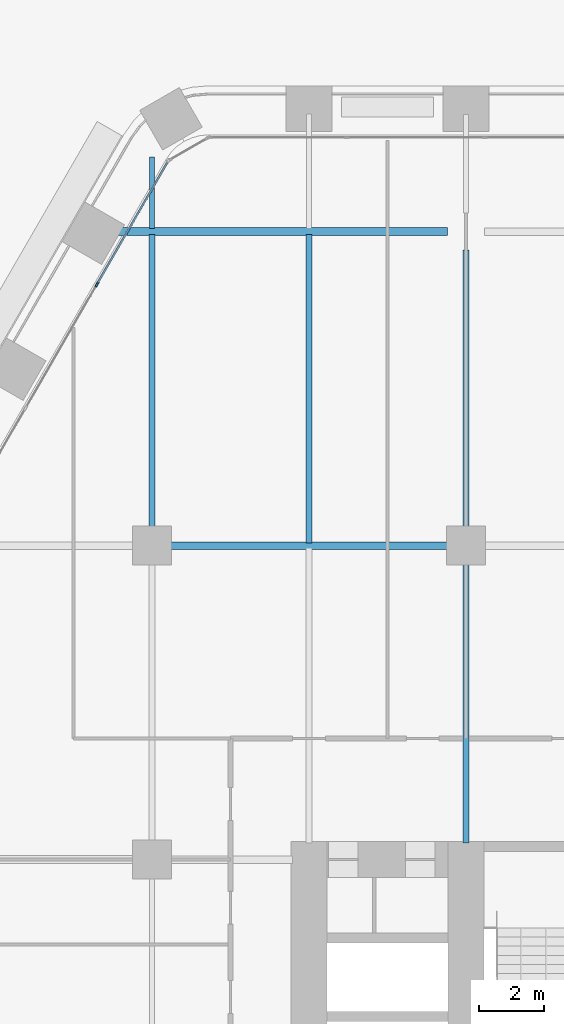
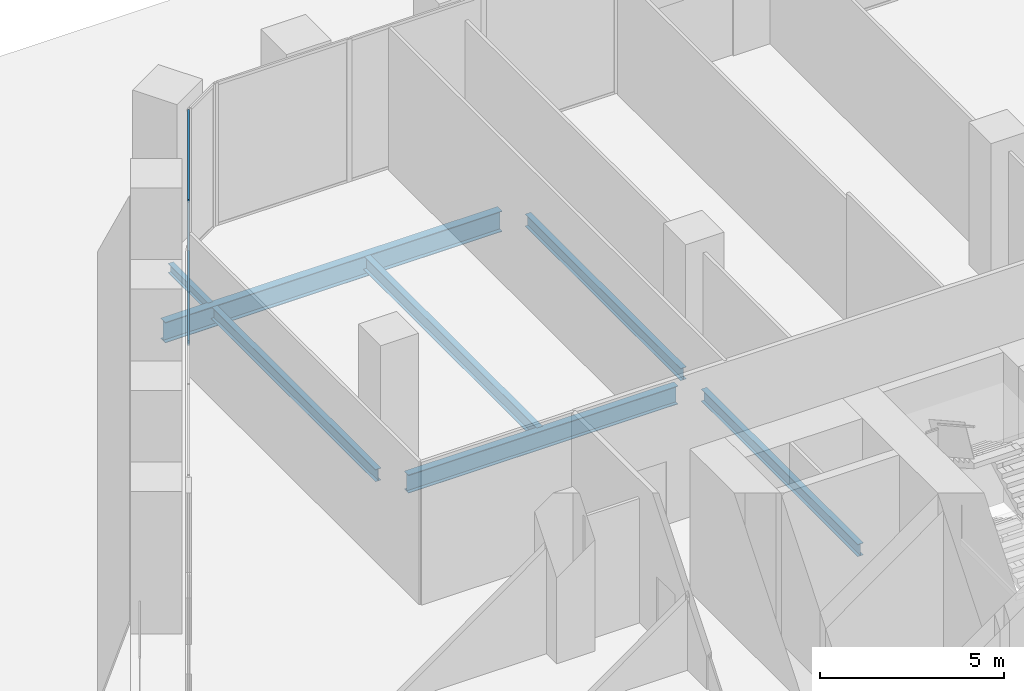
# One storey, part 8 of 29: 7 beams, 3 members, 1 element without a shape of its own.
"""IFC4 building model written with IfcOpenShell, lengths in metres."""

import ifcopenshell
import ifcopenshell.guid

model = None  # the IFC model being written
_history = None  # IfcOwnerHistory: only IFC2X3 demands one
_inside = {}  # id of a spatial element -> (the spatial element, [elements in it])
_under = {}  # id of a project, library or spatial element -> (it, [spatial elements below it])
_declared = {}  # id of a project -> (the project, [libraries it declares])
_typed = {}  # id of a type object -> (the type object, [elements of that type])
_made_of = {}  # id of a material, layer set ... -> (it, [elements and type objects made of it])


def new_model(schema):
    """Start an empty IFC model of exactly this schema.

    Asked for "IFC4X3", IfcOpenShell would pick the latest addendum, in which some entities
    have other attributes; the version numbers below select the first issue.
    IFC2X3 requires an IfcOwnerHistory on every rooted entity: one is made here for all.
    """
    global model, _history
    if schema == "IFC4X3":
        model = ifcopenshell.file(schema_version=(4, 3, 0, 0))
    else:
        model = ifcopenshell.file(schema=schema)
    _inside.clear()
    _under.clear()
    _declared.clear()
    _typed.clear()
    _made_of.clear()
    _history = None
    if model.schema == "IFC2X3":
        org = make("IfcOrganization", Name="unknown")
        user = make(
            "IfcPersonAndOrganization",
            ThePerson=make("IfcPerson", FamilyName="unknown"),
            TheOrganization=org,
        )
        app = make(
            "IfcApplication",
            ApplicationDeveloper=org,
            Version="unknown",
            ApplicationFullName="unknown",
            ApplicationIdentifier="unknown",
        )
        _history = make(
            "IfcOwnerHistory",
            OwningUser=user,
            OwningApplication=app,
            ChangeAction="ADDED",
            CreationDate=0,
        )
    return model


def make(cls, **values):
    """One entity of the class cls with the attributes given. An attribute that is None is left unset."""
    return model.create_entity(
        cls, **{name: value for name, value in values.items() if value is not None}
    )


def rooted(cls, **values):
    """An entity with a GlobalId (a new one), such as an element, a storey or a relation."""
    return make(cls, GlobalId=ifcopenshell.guid.new(), OwnerHistory=_history, **values)


def si_unit(unit_type, name, prefix=None):
    """IfcSIUnit, for example si_unit("LENGTHUNIT", "METRE", prefix="MILLI")."""
    return make("IfcSIUnit", UnitType=unit_type, Prefix=prefix, Name=name)


def assignment(units):
    """IfcUnitAssignment: the units of a project."""
    return None if units is None else make("IfcUnitAssignment", Units=units)


def point(xyz):
    """IfcCartesianPoint."""
    return None if xyz is None else make("IfcCartesianPoint", Coordinates=xyz)


def direction(xyz):
    """IfcDirection."""
    return None if xyz is None else make("IfcDirection", DirectionRatios=xyz)


def frame(location, z_axis=None, x_axis=None):
    """IfcAxis2Placement3D, a coordinate frame: its origin and axes. An axis left out is left unset."""
    return make(
        "IfcAxis2Placement3D",
        Location=point(location),
        Axis=direction(z_axis),
        RefDirection=direction(x_axis),
    )


def frame_2d(location, x_axis=None):
    """IfcAxis2Placement2D, a coordinate frame in the plane: its origin and x axis."""
    return make(
        "IfcAxis2Placement2D", Location=point(location), RefDirection=direction(x_axis)
    )


def origin():
    """The frame at (0, 0, 0) with its axes left unset."""
    return frame((0.0, 0.0, 0.0))


def origin_2d():
    """The frame at (0, 0) in the plane with its x axis left unset."""
    return frame_2d((0.0, 0.0))


def place(relative_to, where):
    """IfcLocalPlacement: puts the frame where relative to a parent placement (None: the world)."""
    return make(
        "IfcLocalPlacement", PlacementRelTo=relative_to, RelativePlacement=where
    )


def context(
    kind, dimensions, precision=None, world=None, true_north=None, identifier=None
):
    """IfcGeometricRepresentationContext, for example the 3D "Model" context."""
    return make(
        "IfcGeometricRepresentationContext",
        ContextIdentifier=identifier,
        ContextType=kind,
        CoordinateSpaceDimension=dimensions,
        Precision=precision,
        WorldCoordinateSystem=world,
        TrueNorth=true_north,
    )


def subcontext(parent, identifier, kind, view, scale=None):
    """IfcGeometricRepresentationSubContext, for example "Body" below "Model"."""
    return make(
        "IfcGeometricRepresentationSubContext",
        ContextIdentifier=identifier,
        ContextType=kind,
        ParentContext=parent,
        TargetScale=scale,
        TargetView=view,
    )


def project(units=None, contexts=None):
    """IfcProject with its units and contexts."""
    return rooted(
        "IfcProject",
        Name="project",
        RepresentationContexts=contexts,
        UnitsInContext=assignment(units),
    )


def spatial(cls, under=None, at=None, **own):
    """A site, building, storey or space (cls), placed at a placement, below another one or the project."""
    s = rooted(cls, ObjectPlacement=at, **own)
    if under is not None:
        _under.setdefault(under.id(), (under, []))[1].append(s)
    return s


def profile(cls, at=None, kind="AREA", **sizes):
    """A parametric profile (cls). Its sizes go by their IFC names, for example OverallWidth=200.0."""
    return make(cls, ProfileType=kind, Position=at, **sizes)


def rectangle(**sizes):
    """IfcRectangleProfileDef."""
    return profile("IfcRectangleProfileDef", **sizes)


def i_section(**sizes):
    """IfcIShapeProfileDef."""
    return profile("IfcIShapeProfileDef", **sizes)


def extrude(swept, where, along, depth):
    """IfcExtrudedAreaSolid: the profile swept, set in the frame where, extruded along a direction by depth."""
    return make(
        "IfcExtrudedAreaSolid",
        SweptArea=swept,
        Position=where,
        ExtrudedDirection=direction(along),
        Depth=depth,
    )


def shape(context_of_items, identifier, shape_type, items):
    """IfcShapeRepresentation: the items that make up one representation, for example the "Body"."""
    return make(
        "IfcShapeRepresentation",
        ContextOfItems=context_of_items,
        RepresentationIdentifier=identifier,
        RepresentationType=shape_type,
        Items=items,
    )


def material(Name=None, Category=None):
    """IfcMaterial."""
    return make("IfcMaterial", Name=Name, Category=Category)


def material_profile(
    of_material, cross_section, Name=None, Category=None, Priority=None
):
    """IfcMaterialProfile: a cross section and its material."""
    return make(
        "IfcMaterialProfile",
        Name=Name,
        Material=of_material,
        Profile=cross_section,
        Priority=Priority,
        Category=Category,
    )


def profile_set(profiles, Name=None, composite=None):
    """IfcMaterialProfileSet."""
    return make(
        "IfcMaterialProfileSet",
        Name=Name,
        MaterialProfiles=profiles,
        CompositeProfile=composite,
    )


def made_of(thing, what):
    """Note that an element or type object is made of a material, layer set ...; save() writes the relation."""
    if what is not None:
        _made_of.setdefault(what.id(), (what, []))[1].append(thing)
    return thing


def type_object(cls, material=None, **own):
    """A type object (cls), such as IfcWallType, which elements share."""
    return made_of(rooted(cls, **own), material)


def element(
    cls,
    number,
    at=None,
    inside=None,
    cuts=None,
    type_object=None,
    material=None,
    context=None,
    identifier="Body",
    shape_type=None,
    held_by="IfcProductDefinitionShape",
    body=None,
    shapes=None,
    **own,
):
    """One element of the class cls, such as IfcWall. Its Tag is "e" and its number.

    at: its placement. inside: the storey or other place that contains it. cuts: it is an
    opening in that element (IfcRelVoidsElement). A single representation is given by context,
    identifier, shape_type and body (its items); several are given by shapes. held_by: the class
    of the entity that holds the representations. save() writes the other relations.
    """
    e = rooted(cls, Tag="e%d" % number, ObjectPlacement=at, **own)
    if body is not None:
        shapes = [shape(context, identifier, shape_type, body)]
    if shapes is not None:
        e.Representation = make(held_by, Representations=shapes)
    if inside is not None:
        _inside.setdefault(inside.id(), (inside, []))[1].append(e)
    if cuts is not None:
        rooted(
            "IfcRelVoidsElement", RelatingBuildingElement=cuts, RelatedOpeningElement=e
        )
    if type_object is not None:
        _typed.setdefault(type_object.id(), (type_object, []))[1].append(e)
    return made_of(e, material)


def aggregate(whole, parts):
    """IfcRelAggregates: a whole, such as a stair, and the parts it consists of."""
    return rooted("IfcRelAggregates", RelatingObject=whole, RelatedObjects=parts)


def save(model, path):
    """Write the relations noted so far, then the file.

    IfcRelAggregates (storeys below a building ...), IfcRelContainedInSpatialStructure (elements
    in a storey), IfcRelDefinesByType, IfcRelAssociatesMaterial and IfcRelDeclares: one each for
    every whole, place, type object, material and project.
    """
    for whole, parts in _under.values():
        aggregate(whole, parts)
    for where, things in _inside.values():
        rooted(
            "IfcRelContainedInSpatialStructure",
            RelatedElements=things,
            RelatingStructure=where,
        )
    for kind, things in _typed.values():
        rooted("IfcRelDefinesByType", RelatedObjects=things, RelatingType=kind)
    for what, things in _made_of.values():
        rooted("IfcRelAssociatesMaterial", RelatedObjects=things, RelatingMaterial=what)
    for by, libraries in _declared.values():
        rooted("IfcRelDeclares", RelatingContext=by, RelatedDefinitions=libraries)
    model.write(path)


model = new_model("IFC4")

# Units and contexts
model_context = context("Model", 3, precision=1e-05, world=origin(), true_north=direction((0.0, 1.0)))
body_context = subcontext(model_context, "Body", "Model", "MODEL_VIEW")
ifc_project = project(units=[si_unit("LENGTHUNIT", "METRE"), si_unit("AREAUNIT", "SQUARE_METRE"), si_unit("VOLUMEUNIT", "CUBIC_METRE"), si_unit("PLANEANGLEUNIT", "RADIAN"), si_unit("MASSUNIT", "GRAM", prefix="KILO")], contexts=[model_context])

# Site, building, storey
site_placement = place(None, origin())
site = spatial("IfcSite", under=ifc_project, at=site_placement, CompositionType="ELEMENT")
building_placement = place(site_placement, origin())
building = spatial("IfcBuilding", under=site, at=building_placement, Name="Kolab Exchange Tower", CompositionType="ELEMENT")
storey_placement = place(building_placement, frame((0.0, 0.0, 17.39990234375)))
storey = spatial("IfcBuildingStorey", under=building, at=storey_placement, Name="L03", CompositionType="ELEMENT", Elevation=17.39990234375)

# Beams
ifc_material_1 = material(Name="Steel S355", Category="steel")
ifc_material_profile_1 = material_profile(ifc_material_1, i_section(OverallWidth=0.1650390625, OverallDepth=0.31005859375, WebThickness=0.005859375, FlangeThickness=0.009765625, at=origin_2d()), Name="W310X39")
ifc_profile_set_1 = profile_set([ifc_material_profile_1], Name="Steel S355")
beam_type_1 = type_object("IfcBeamType", Name="FLOOR BEAM W310X39", PredefinedType="BEAM", material=ifc_profile_set_1)
beam_1_placement = place(storey_placement, frame((-19.199951171875, 28.886962890625, -0.40478515625), z_axis=(0.0, 1.0, 0.0), x_axis=(-1.0, 0.0, 0.0)))
element("IfcBeam", 1, at=beam_1_placement, inside=storey, type_object=beam_type_1, Name="beam/L03/fr/018", PredefinedType="BEAM", context=body_context, shape_type="SweptSolid", body=[
    extrude(i_section(OverallWidth=0.1650390625, OverallDepth=0.31005859375, WebThickness=0.005859375, FlangeThickness=0.009765625, at=origin_2d()), origin(), (0.0, 0.0, 1.0), 2.187255859375),
])
ifc_material_profile_2 = material_profile(ifc_material_1, i_section(OverallWidth=0.177978515625, OverallDepth=0.406982421875, WebThickness=0.0078125, FlangeThickness=0.0126953125, at=origin_2d()), Name="W410X60")
ifc_profile_set_2 = profile_set([ifc_material_profile_2], Name="Steel S355")
beam_type_2 = type_object("IfcBeamType", Name="FLOOR BEAM W410X60", PredefinedType="BEAM", material=ifc_profile_set_2)
beam_2_placement = place(storey_placement, frame((-19.199951171875, 19.760009765625, -0.453369140625), z_axis=(0.0, 1.0, 0.0), x_axis=(-1.0, 0.0, 0.0)))
element("IfcBeam", 2, at=beam_2_placement, inside=storey, type_object=beam_type_2, Name="beam/L03/fr/017", PredefinedType="BEAM", context=body_context, shape_type="SweptSolid", body=[
    extrude(i_section(OverallWidth=0.177978515625, OverallDepth=0.406982421875, WebThickness=0.0078125, FlangeThickness=0.0126953125, at=origin_2d()), origin(), (0.0, 0.0, 1.0), 8.952880859375),
])
beam_3_placement = place(storey_placement, frame((-9.60009765625, 10.110107421875, -0.453369140625), z_axis=(0.0, 1.0, 0.0), x_axis=(-1.0, 0.0, 0.0)))
element("IfcBeam", 3, at=beam_3_placement, inside=storey, type_object=beam_type_2, Name="beam/L03/fr/028", PredefinedType="BEAM", context=body_context, shape_type="SweptSolid", body=[
    extrude(i_section(OverallWidth=0.177978515625, OverallDepth=0.406982421875, WebThickness=0.0078125, FlangeThickness=0.0126953125, at=origin_2d()), origin(), (0.0, 0.0, 1.0), 8.52978515625),
])
beam_4_placement = place(storey_placement, frame((-9.60009765625, 19.760009765625, -0.453369140625), z_axis=(0.0, 1.0, 0.0), x_axis=(-1.0, 0.0, 0.0)))
element("IfcBeam", 4, at=beam_4_placement, inside=storey, type_object=beam_type_2, Name="beam/L03/fr/029", PredefinedType="BEAM", context=body_context, shape_type="SweptSolid", body=[
    extrude(i_section(OverallWidth=0.177978515625, OverallDepth=0.406982421875, WebThickness=0.0078125, FlangeThickness=0.0126953125, at=origin_2d()), origin(), (0.0, 0.0, 1.0), 8.47998046875),
])
ifc_material_profile_3 = material_profile(ifc_material_1, i_section(OverallWidth=0.18994140625, OverallDepth=0.45703125, WebThickness=0.009033203125, FlangeThickness=0.014404296875, at=origin_2d()), Name="W460X74")
ifc_profile_set_3 = profile_set([ifc_material_profile_3], Name="Steel S355")
beam_type_3 = type_object("IfcBeamType", Name="FLOOR BEAM W460X74", PredefinedType="BEAM", material=ifc_profile_set_3)
beam_5_placement = place(storey_placement, frame((-14.39990234375, 19.27392578125, -0.478515625), z_axis=(0.0, 1.0, 0.0), x_axis=(-1.0, 0.0, 0.0)))
element("IfcBeam", 5, at=beam_5_placement, inside=storey, type_object=beam_type_3, Name="beam/L03/fr/023", PredefinedType="BEAM", context=body_context, shape_type="SweptSolid", body=[
    extrude(i_section(OverallWidth=0.18994140625, OverallDepth=0.45703125, WebThickness=0.009033203125, FlangeThickness=0.014404296875, at=origin_2d()), origin(), (0.0, 0.0, 1.0), 9.43896484375),
])
ifc_material_profile_4 = material_profile(ifc_material_1, i_section(OverallWidth=0.22802734375, OverallDepth=0.60791015625, WebThickness=0.01123046875, FlangeThickness=0.017333984375, at=origin_2d()), Name="W610X113")
ifc_profile_set_4 = profile_set([ifc_material_profile_4], Name="Steel S355")
beam_type_4 = type_object("IfcBeamType", Name="FLOOR GIRDER W610X113", PredefinedType="BEAM", material=ifc_profile_set_4)
beam_6_placement = place(storey_placement, frame((-18.639892578125, 19.199951171875, -0.553955078125), z_axis=(1.0, 0.0, 0.0), x_axis=(0.0, 1.0, 0.0)))
element("IfcBeam", 6, at=beam_6_placement, inside=storey, type_object=beam_type_4, Name="beam/L03/gd/012", PredefinedType="BEAM", context=body_context, shape_type="SweptSolid", body=[
    extrude(i_section(OverallWidth=0.22802734375, OverallDepth=0.60791015625, WebThickness=0.01123046875, FlangeThickness=0.017333984375, at=origin_2d()), origin(), (0.0, 0.0, 1.0), 8.47998046875),
])
ifc_material_profile_5 = material_profile(ifc_material_1, i_section(OverallWidth=0.25390625, OverallDepth=0.68408203125, WebThickness=0.012451171875, FlangeThickness=0.018798828125, at=origin_2d()), Name="W690X140")
ifc_profile_set_5 = profile_set([ifc_material_profile_5], Name="Steel S355")
beam_type_5 = type_object("IfcBeamType", Name="FLOOR GIRDER W690X140", PredefinedType="BEAM", material=ifc_profile_set_5)
beam_7_placement = place(storey_placement, frame((-20.757080078125, 28.800048828125, -0.591796875), z_axis=(1.0, 0.0, 0.0), x_axis=(0.0, 1.0, 0.0)))
element("IfcBeam", 7, at=beam_7_placement, inside=storey, type_object=beam_type_5, Name="beam/L03/gd/008", PredefinedType="BEAM", context=body_context, shape_type="SweptSolid", body=[
    extrude(i_section(OverallWidth=0.25390625, OverallDepth=0.68408203125, WebThickness=0.012451171875, FlangeThickness=0.018798828125, at=origin_2d()), origin(), (0.0, 0.0, 1.0), 10.59716796875),
])

# Curtain wall, members
ifc_material_2 = material(Name="Aluminium EN AW-6063 T6", Category="aluminium")
curtain_wall_type = type_object("IfcCurtainWallType", Name="UNITISED LOW ZONE CURTAIN WALL", PredefinedType="NOTDEFINED", material=ifc_material_2)
curtain_wall_placement = place(storey_placement, origin())
curtain_wall = element("IfcCurtainWall", 8, at=curtain_wall_placement, inside=storey, type_object=curtain_wall_type, Name="cw/L03/F6-2", PredefinedType="NOTDEFINED")
ifc_material_profile_6 = material_profile(ifc_material_2, rectangle(XDim=0.06005859375, YDim=0.159912109375, at=origin_2d()), Name="RECT 60X160")
ifc_profile_set_6 = profile_set([ifc_material_profile_6], Name="Aluminium EN AW-6063 T6")
member_type_1 = type_object("IfcMemberType", Name="UNITISED LOW ZONE MULLION 60 X 160", PredefinedType="MULLION", material=ifc_profile_set_6)
member_1_placement = place(storey_placement, frame((-20.881103515625, 27.183349609375, 0.0), z_axis=(0.0, 0.0, 1.0), x_axis=(-0.866025397318, 0.5000000112, 0.0)))
member_1 = element("IfcMember", 9, at=member_1_placement, type_object=member_type_1, Name="CW1 mullion 4", PredefinedType="MULLION", context=body_context, shape_type="SweptSolid", body=[
    extrude(rectangle(XDim=0.06005859375, YDim=0.159912109375, at=origin_2d()), origin(), (0.0, 0.0, 1.0), 4.75),
])
ifc_material_profile_7 = material_profile(ifc_material_2, rectangle(XDim=0.06005859375, YDim=0.10009765625, at=origin_2d()), Name="RECT 60X100")
ifc_profile_set_7 = profile_set([ifc_material_profile_7], Name="Aluminium EN AW-6063 T6")
member_type_2 = type_object("IfcMemberType", Name="UNITISED LOW ZONE TRANSOM 60 X 100", PredefinedType="USERDEFINED", material=ifc_profile_set_7)
member_2_placement = place(storey_placement, frame((-20.8662109375, 27.20947265625, 0.030029296875), z_axis=(0.500000816281, 0.866024932504, 0.0), x_axis=(-0.866024932504, 0.500000816281, 0.0)))
member_2 = element("IfcMember", 10, at=member_2_placement, type_object=member_type_2, Name="CW1 transom 4.1", ObjectType="TRANSOM", PredefinedType="USERDEFINED", context=body_context, shape_type="SweptSolid", body=[
    extrude(rectangle(XDim=0.06005859375, YDim=0.10009765625, at=origin_2d()), origin(), (0.0, 0.0, 1.0), 4.27685546875),
])
member_3_placement = place(storey_placement, frame((-20.8662109375, 27.20947265625, 4.72021484375), z_axis=(0.500000816281, 0.866024932504, 0.0), x_axis=(-0.866024932504, 0.500000816281, 0.0)))
member_3 = element("IfcMember", 11, at=member_3_placement, type_object=member_type_2, Name="CW1 transom 4.2", ObjectType="TRANSOM", PredefinedType="USERDEFINED", context=body_context, shape_type="SweptSolid", body=[
    extrude(rectangle(XDim=0.06005859375, YDim=0.10009765625, at=origin_2d()), origin(), (0.0, 0.0, 1.0), 4.27685546875),
])
aggregate(curtain_wall, [member_1, member_2, member_3])

save(model, "model.ifc")
